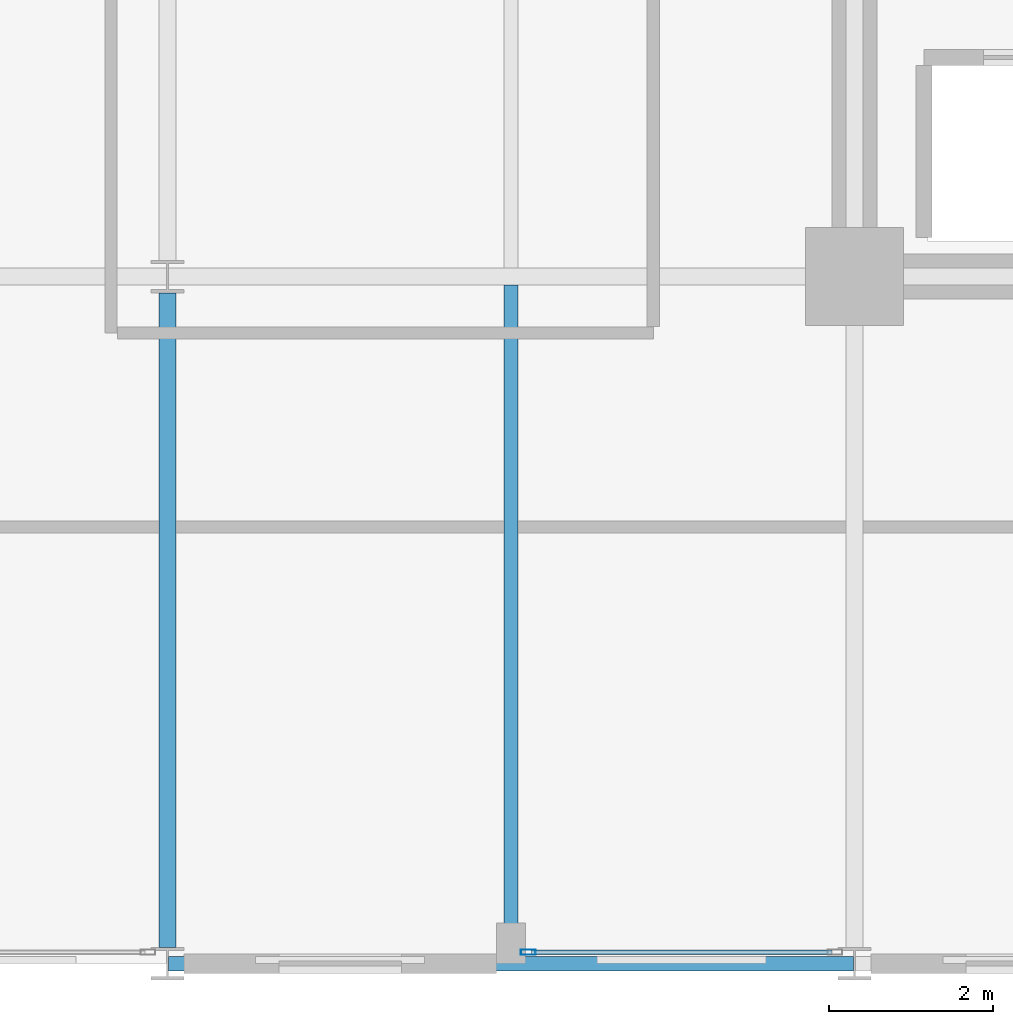
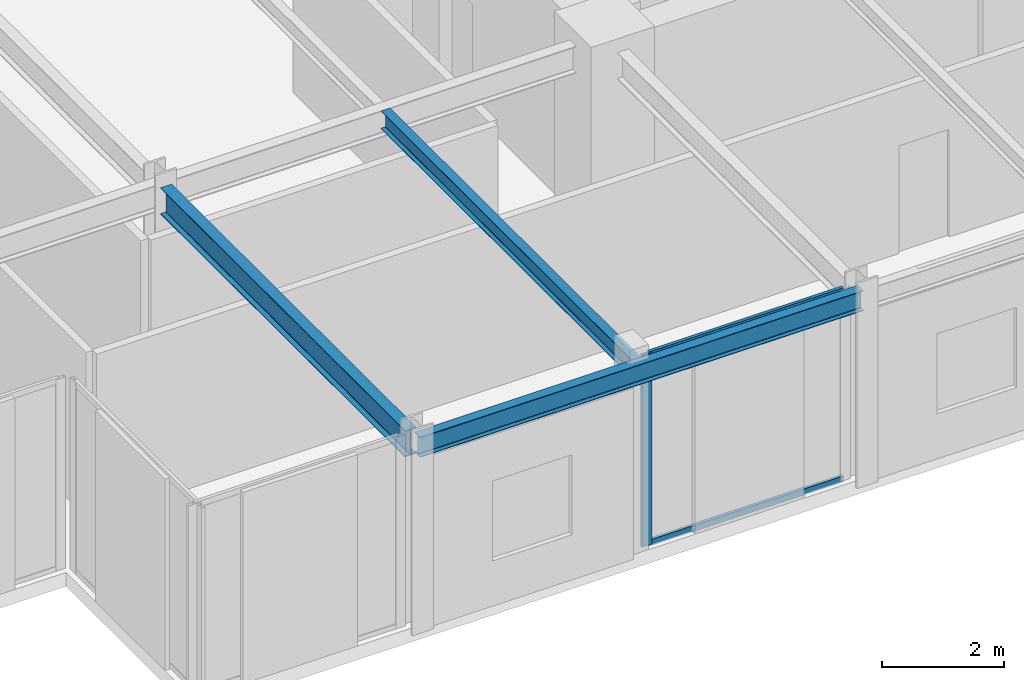
# One storey, part 3 of 29: 3 beams, 3 members, 1 element without a shape of its own.
"""IFC4 building model written with IfcOpenShell, lengths in metres."""

from ifc_helpers import new_model, si_unit, direction, frame, origin, origin_2d, place, context, subcontext, project, spatial, hollow_rectangle, i_section, extrude, material, layer, layer_set, material_profile, profile_set, type_object, element, aggregate, save


model = new_model("IFC4")

# Units and contexts
model_context = context("Model", 3, precision=1e-05, world=origin(), true_north=direction((0.0, 1.0)))
body_context = subcontext(model_context, "Body", "Model", "MODEL_VIEW")
ifc_project = project(units=[si_unit("LENGTHUNIT", "METRE"), si_unit("AREAUNIT", "SQUARE_METRE"), si_unit("VOLUMEUNIT", "CUBIC_METRE"), si_unit("PLANEANGLEUNIT", "RADIAN"), si_unit("MASSUNIT", "GRAM", prefix="KILO")], contexts=[model_context])

# Site, building, storey
site_placement = place(None, origin())
site = spatial("IfcSite", under=ifc_project, at=site_placement, CompositionType="ELEMENT")
building_placement = place(site_placement, origin())
building = spatial("IfcBuilding", under=site, at=building_placement, Name="Nerrivon Quay Data Exchange", CompositionType="ELEMENT")
storey_placement = place(building_placement, frame((0.0, 0.0, 145.89990234375)))
storey = spatial("IfcBuildingStorey", under=building, at=storey_placement, Name="L34", CompositionType="ELEMENT", Elevation=145.89990234375)

# Beams
ifc_material_1 = material(Name="Steel Grade 350", Category="steel")
ifc_material_profile_1 = material_profile(ifc_material_1, i_section(OverallWidth=0.208984375, OverallDepth=0.528076171875, WebThickness=0.009521484375, FlangeThickness=0.01318359375, FilletRadius=0.013916015625, at=origin_2d()), Name="530UB82.0")
ifc_profile_set_1 = profile_set([ifc_material_profile_1], Name="Steel Grade 350")
beam_type_1 = type_object("IfcBeamType", Name="BM-G4-530UB82", PredefinedType="BEAM", material=ifc_profile_set_1)
beam_1_placement = place(storey_placement, frame((8.39990234375, 0.199951171875, 3.56103515625), z_axis=(0.0, 1.0, 0.0), x_axis=(-1.0, 0.0, 0.0)))
element("IfcBeam", 1, at=beam_1_placement, inside=storey, type_object=beam_type_1, Name="L34 NS Girder X=8.4 (0.0..8.4)", PredefinedType="BEAM", context=body_context, shape_type="SweptSolid", body=[
    extrude(i_section(OverallWidth=0.208984375, OverallDepth=0.528076171875, WebThickness=0.009521484375, FlangeThickness=0.01318359375, FilletRadius=0.013916015625, at=origin_2d()), origin(), (0.0, 0.0, 1.0), 8.0),
])
ifc_material_profile_2 = material_profile(ifc_material_1, i_section(OverallWidth=0.1708984375, OverallDepth=0.35595703125, WebThickness=0.00732421875, FlangeThickness=0.011474609375, FilletRadius=0.011474609375, at=origin_2d()), Name="360UB50.7")
ifc_profile_set_2 = profile_set([ifc_material_profile_2], Name="Steel Grade 350")
beam_type_2 = type_object("IfcBeamType", Name="BM-J4-360UB51", PredefinedType="JOIST", material=ifc_profile_set_2)
beam_2_placement = place(storey_placement, frame((12.60009765625, 0.089111328125, 3.647216796875), z_axis=(0.0, 1.0, 0.0), x_axis=(-1.0, 0.0, 0.0)))
element("IfcBeam", 2, at=beam_2_placement, inside=storey, type_object=beam_type_2, Name="L34 Secondary Joist X=12.6 (0.0..8.4)", PredefinedType="JOIST", context=body_context, shape_type="SweptSolid", body=[
    extrude(i_section(OverallWidth=0.1708984375, OverallDepth=0.35595703125, WebThickness=0.00732421875, FlangeThickness=0.011474609375, FilletRadius=0.011474609375, at=origin_2d()), origin(), (0.0, 0.0, 1.0), 8.206298828125),
])
ifc_material_profile_3 = material_profile(ifc_material_1, i_section(OverallWidth=0.177978515625, OverallDepth=0.403076171875, WebThickness=0.007568359375, FlangeThickness=0.010986328125, FilletRadius=0.011474609375, at=origin_2d()), Name="410UB53.7")
ifc_profile_set_3 = profile_set([ifc_material_profile_3], Name="Steel Grade 350")
beam_type_3 = type_object("IfcBeamType", Name="BM-SP2-410UB54", PredefinedType="SPANDREL", material=ifc_profile_set_3)
beam_3_placement = place(storey_placement, frame((8.41259765625, 0.0, 3.62353515625), z_axis=(1.0, 0.0, 0.0), x_axis=(0.0, 1.0, 0.0)))
element("IfcBeam", 3, at=beam_3_placement, inside=storey, type_object=beam_type_3, Name="L34 EW Girder Y=0.0 (8.4..16.8)", PredefinedType="SPANDREL", context=body_context, shape_type="SweptSolid", body=[
    extrude(i_section(OverallWidth=0.177978515625, OverallDepth=0.403076171875, WebThickness=0.007568359375, FlangeThickness=0.010986328125, FilletRadius=0.011474609375, at=origin_2d()), origin(), (0.0, 0.0, 1.0), 8.375),
])

# Curtain wall, members
ifc_material_2 = material(Name="Anodised aluminium 6063-T6", Category="aluminium")
ifc_layer = layer(ifc_material_2, 0.2099609375)
ifc_layer_set = layer_set([ifc_layer], Name="Anodised aluminium 6063-T6")
curtain_wall_type = type_object("IfcCurtainWallType", Name="CW-SYS-02", PredefinedType="NOTDEFINED", material=ifc_layer_set)
curtain_wall_placement = place(storey_placement, origin())
curtain_wall = element("IfcCurtainWall", 4, at=curtain_wall_placement, inside=storey, type_object=curtain_wall_type, Name="L34 Unitised Curtain Wall 6", PredefinedType="NOTDEFINED")
ifc_material_profile_4 = material_profile(ifc_material_2, hollow_rectangle(XDim=0.06494140625, YDim=0.179931640625, WallThickness=0.00341796875, at=origin_2d()), Name="ALU-MULL-180x65")
ifc_profile_set_4 = profile_set([ifc_material_profile_4], Name="Anodised aluminium 6063-T6")
member_type_1 = type_object("IfcMemberType", Name="CWM-180x65", PredefinedType="MULLION", material=ifc_profile_set_4)
member_1_placement = place(storey_placement, frame((12.8125, 0.139892578125, 0.0), z_axis=(0.0, 0.0, 1.0), x_axis=(0.0, -1.0, 0.0)))
member_1 = element("IfcMember", 5, at=member_1_placement, type_object=member_type_1, Name="CW02 mullion 2", PredefinedType="MULLION", context=body_context, shape_type="SweptSolid", body=[
    extrude(hollow_rectangle(XDim=0.06494140625, YDim=0.179931640625, WallThickness=0.00341796875, at=origin_2d()), origin(), (0.0, 0.0, 1.0), 3.8251953125),
])
ifc_material_profile_5 = material_profile(ifc_material_2, hollow_rectangle(XDim=0.06005859375, YDim=0.1201171875, WallThickness=0.003173828125, at=origin_2d()), Name="ALU-TRAN-120x60")
ifc_profile_set_5 = profile_set([ifc_material_profile_5], Name="Anodised aluminium 6063-T6")
member_type_2 = type_object("IfcMemberType", Name="CWT-120x60", PredefinedType="USERDEFINED", material=ifc_profile_set_5)
member_2_placement = place(storey_placement, frame((16.52490234375, 0.139892578125, 0.03271484375), z_axis=(-1.0, 0.0, 0.0), x_axis=(0.0, -1.0, 0.0)))
member_2 = element("IfcMember", 6, at=member_2_placement, type_object=member_type_2, Name="CW02 transom 1.1", ObjectType="TRANSOM", PredefinedType="USERDEFINED", context=body_context, shape_type="SweptSolid", body=[
    extrude(hollow_rectangle(XDim=0.06005859375, YDim=0.1201171875, WallThickness=0.003173828125, at=origin_2d()), origin(), (0.0, 0.0, 1.0), 3.6748046875),
])
member_3_placement = place(storey_placement, frame((16.52490234375, 0.139892578125, 3.79248046875), z_axis=(-1.0, 0.0, 0.0), x_axis=(0.0, -1.0, 0.0)))
member_3 = element("IfcMember", 7, at=member_3_placement, type_object=member_type_2, Name="CW02 transom 1.2", ObjectType="TRANSOM", PredefinedType="USERDEFINED", context=body_context, shape_type="SweptSolid", body=[
    extrude(hollow_rectangle(XDim=0.06005859375, YDim=0.1201171875, WallThickness=0.003173828125, at=origin_2d()), origin(), (0.0, 0.0, 1.0), 3.6748046875),
])
aggregate(curtain_wall, [member_1, member_2, member_3])

save(model, "model.ifc")
